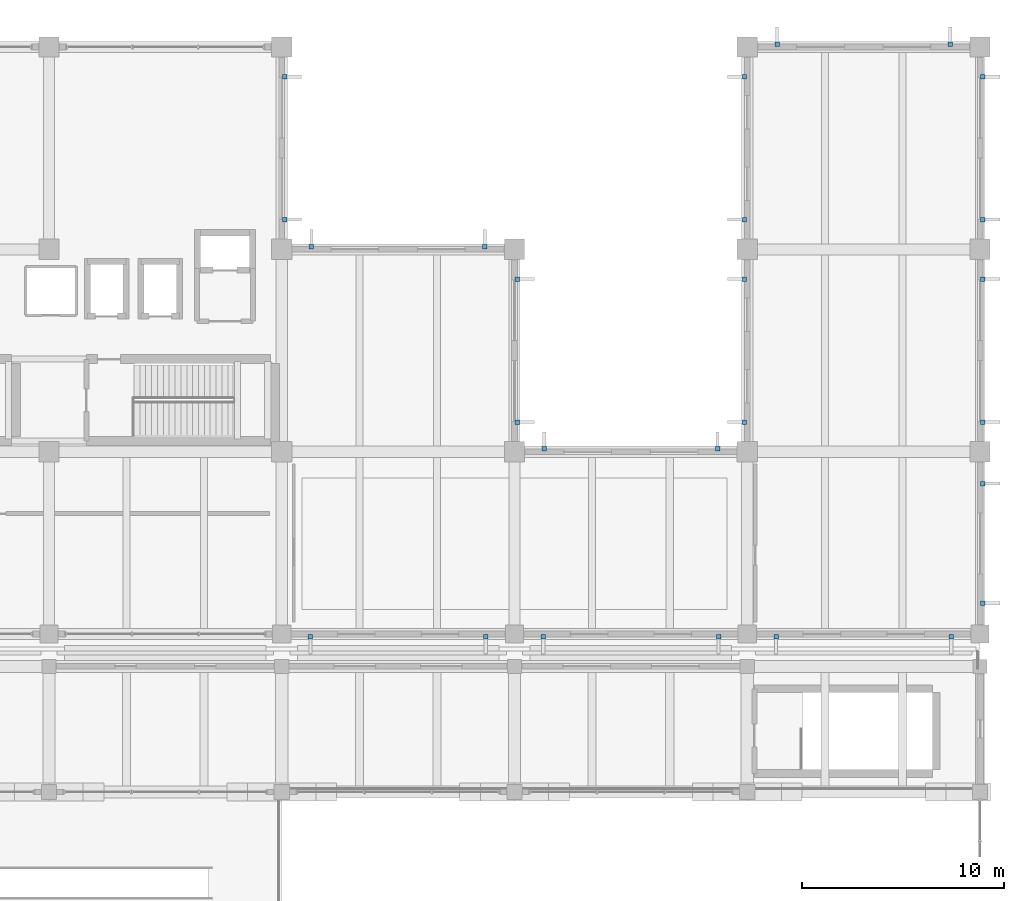
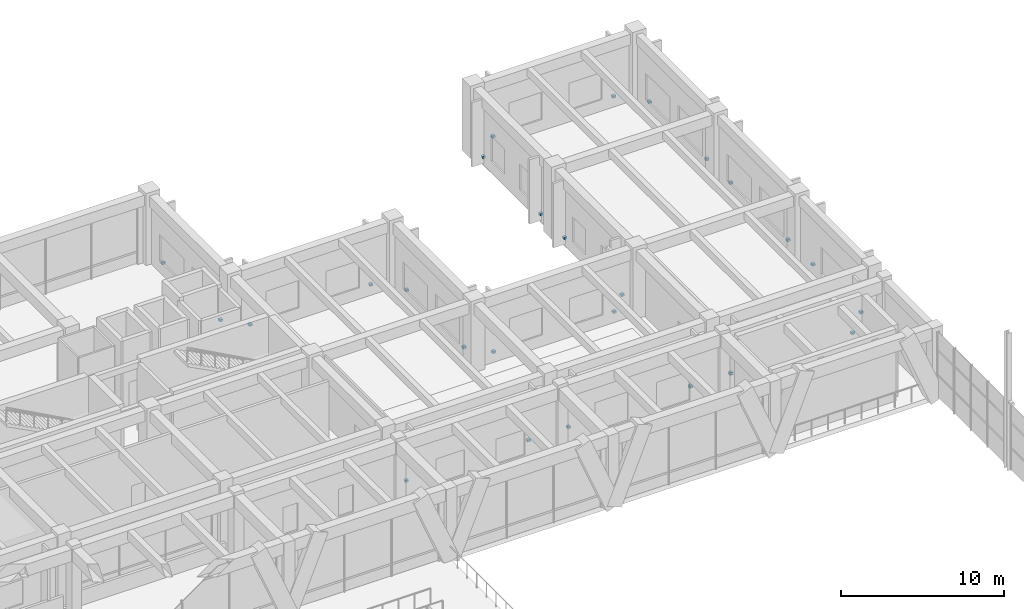
# One storey, part 141 of 148: 26 discrete accessories.
"""IFC4 building model written with IfcOpenShell, lengths in metres."""

from ifc_helpers import new_model, si_unit, direction, frame, origin, origin_2d, place, context, subcontext, project, spatial, rectangle, extrude, material, type_object, element, save


model = new_model("IFC4")

# Units and contexts
model_context = context("Model", 3, precision=1e-05, world=origin(), true_north=direction((0.0, 1.0)))
body_context = subcontext(model_context, "Body", "Model", "MODEL_VIEW")
ifc_project = project(units=[si_unit("LENGTHUNIT", "METRE"), si_unit("AREAUNIT", "SQUARE_METRE"), si_unit("VOLUMEUNIT", "CUBIC_METRE"), si_unit("PLANEANGLEUNIT", "RADIAN"), si_unit("MASSUNIT", "GRAM", prefix="KILO")], contexts=[model_context])

# Site, building, storey
site_placement = place(None, origin())
site = spatial("IfcSite", under=ifc_project, at=site_placement, CompositionType="ELEMENT")
building_placement = place(site_placement, origin())
building = spatial("IfcBuilding", under=site, at=building_placement, Name="Ologun Quay Terminus", CompositionType="ELEMENT")
storey_placement = place(building_placement, frame((0.0, 0.0, 8.39990234375)))
storey = spatial("IfcBuildingStorey", under=building, at=storey_placement, Name="L02", CompositionType="ELEMENT", Elevation=8.39990234375)

# Discrete accessories
ifc_material = material(Name="Steel S355", Category="steel")
discrete_accessory_type = type_object("IfcDiscreteAccessoryType", Name="Solar Fin Stainless Support Bracket", PredefinedType="BRACKET", material=ifc_material)
for number, where, z_axis, x_axis, name in (
    (1, (150.919921875, 85.659912109375, 0.52001953125), (0.0, 0.0, 1.0), (1.0, 0.0, 0.0), "BRK-01 Solar Fin Bracket WEW-EW-L02-4-1"),
    (2, (159.580078125, 85.659912109375, 0.52001953125), (0.0, 0.0, 1.0), (1.0, 0.0, 0.0), "BRK-01 Solar Fin Bracket WEW-EW-L02-4-2"),
    (3, (162.419921875, 85.659912109375, 0.52001953125), (0.0, 0.0, 1.0), (1.0, 0.0, 0.0), "BRK-01 Solar Fin Bracket WEW-EW-L02-5-1"),
    (4, (171.080078125, 85.659912109375, 0.52001953125), (0.0, 0.0, 1.0), (1.0, 0.0, 0.0), "BRK-01 Solar Fin Bracket WEW-EW-L02-5-2"),
    (5, (173.919921875, 85.659912109375, 0.52001953125), (0.0, 0.0, 1.0), (1.0, 0.0, 0.0), "BRK-01 Solar Fin Bracket WEW-EW-L02-6-1"),
    (6, (182.580078125, 85.659912109375, 0.52001953125), (0.0, 0.0, 1.0), (1.0, 0.0, 0.0), "BRK-01 Solar Fin Bracket WEW-EW-L02-6-2"),
    (7, (184.139892578125, 87.320068359375, 0.52001953125), (0.0, 0.0, 1.0), (1.0, 0.0, 0.0), "BRK-01 Solar Fin Bracket WEW-EW-L02-7-1"),
    (8, (184.139892578125, 93.22998046875, 0.52001953125), (0.0, 0.0, 1.0), (1.0, 0.0, 0.0), "BRK-01 Solar Fin Bracket WEW-EW-L02-7-2"),
    (9, (184.139892578125, 96.27001953125, 0.52001953125), (0.0, 0.0, 1.0), (1.0, 0.0, 0.0), "BRK-01 Solar Fin Bracket WEW-EW-L02-8-1"),
    (10, (184.139892578125, 103.330078125, 0.52001953125), (0.0, 0.0, 1.0), (1.0, 0.0, 0.0), "BRK-01 Solar Fin Bracket WEW-EW-L02-8-2"),
    (11, (184.139892578125, 106.27001953125, 0.52001953125), (0.0, 0.0, 1.0), (1.0, 0.0, 0.0), "BRK-01 Solar Fin Bracket WEW-EW-L02-9-1"),
    (12, (184.139892578125, 113.330078125, 0.52001953125), (0.0, 0.0, 1.0), (1.0, 0.0, 0.0), "BRK-01 Solar Fin Bracket WEW-EW-L02-9-2"),
    (13, (173.969970703125, 114.93994140625, 0.52001953125), (0.0, 0.0, 1.0), (1.0, 0.0, 0.0), "BRK-01 Solar Fin Bracket WEW-EW-L02-10-1"),
    (14, (182.530029296875, 114.93994140625, 0.52001953125), (0.0, 0.0, 1.0), (1.0, 0.0, 0.0), "BRK-01 Solar Fin Bracket WEW-EW-L02-10-2"),
    (15, (172.360107421875, 96.27001953125, 0.52001953125), (0.0, 0.0, 1.0), (1.0, 0.0, 0.0), "BRK-01 Solar Fin Bracket WEW-EW-L02-11-1"),
    (16, (172.360107421875, 103.330078125, 0.52001953125), (0.0, 0.0, 1.0), (1.0, 0.0, 0.0), "BRK-01 Solar Fin Bracket WEW-EW-L02-11-2"),
    (17, (172.360107421875, 106.27001953125, 0.52001953125), (0.0, 0.0, 1.0), (1.0, 0.0, 0.0), "BRK-01 Solar Fin Bracket WEW-EW-L02-12-1"),
    (18, (172.360107421875, 113.330078125, 0.52001953125), (0.0, 0.0, 1.0), (1.0, 0.0, 0.0), "BRK-01 Solar Fin Bracket WEW-EW-L02-12-2"),
    (19, (162.469970703125, 94.93994140625, 0.52001953125), (0.0, 0.0, 1.0), (1.0, 0.0, 0.0), "BRK-01 Solar Fin Bracket WEW-EW-L02-13-1"),
    (20, (171.030029296875, 94.93994140625, 0.52001953125), (0.0, 0.0, 1.0), (1.0, 0.0, 0.0), "BRK-01 Solar Fin Bracket WEW-EW-L02-13-2"),
    (21, (161.139892578125, 96.27001953125, 0.52001953125), (0.0, 0.0, 1.0), (1.0, 0.0, 0.0), "BRK-01 Solar Fin Bracket WEW-EW-L02-14-1"),
    (22, (161.139892578125, 103.330078125, 0.52001953125), (0.0, 0.0, 1.0), (1.0, 0.0, 0.0), "BRK-01 Solar Fin Bracket WEW-EW-L02-14-2"),
    (23, (150.969970703125, 104.93994140625, 0.52001953125), (0.0, 0.0, 1.0), (1.0, 0.0, 0.0), "BRK-01 Solar Fin Bracket WEW-EW-L02-15-1"),
    (24, (159.530029296875, 104.93994140625, 0.52001953125), (0.0, 0.0, 1.0), (1.0, 0.0, 0.0), "BRK-01 Solar Fin Bracket WEW-EW-L02-15-2"),
    (25, (149.639892578125, 106.27001953125, 0.52001953125), (0.0, 0.0, 1.0), (1.0, 0.0, 0.0), "BRK-01 Solar Fin Bracket WEW-EW-L02-16-1"),
    (26, (149.639892578125, 113.330078125, 0.52001953125), (0.0, 0.0, 1.0), (1.0, 0.0, 0.0), "BRK-01 Solar Fin Bracket WEW-EW-L02-16-2"),
):
    element("IfcDiscreteAccessory", number, at=place(storey_placement, frame(where, z_axis=z_axis, x_axis=x_axis)), inside=storey, type_object=discrete_accessory_type, Name=name, PredefinedType="BRACKET", context=body_context, shape_type="SweptSolid", body=[
        extrude(rectangle(XDim=0.219970703125, YDim=0.219970703125, at=origin_2d()), origin(), (0.0, 0.0, 1.0), 0.159912109375),
    ])

save(model, "model.ifc")
